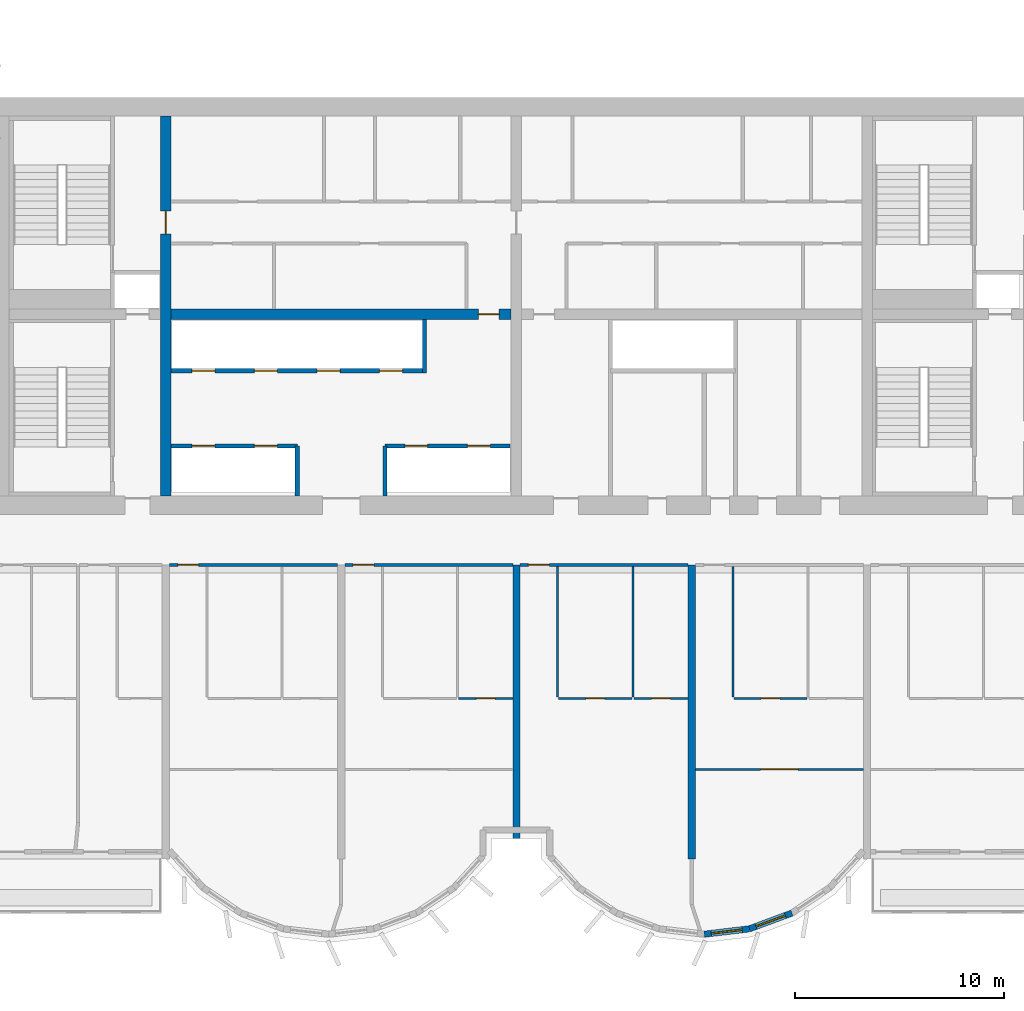
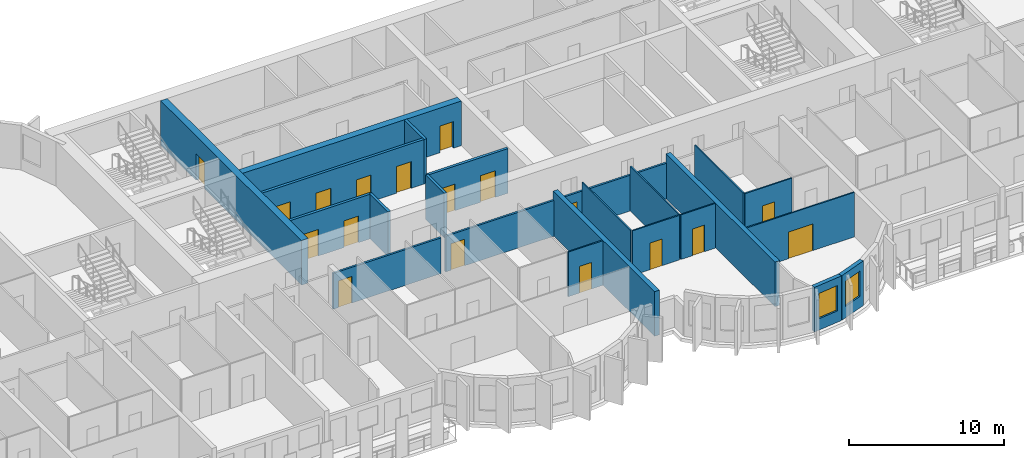
# One storey, part 6 of 15: 23 walls, 18 doors, 2 windows, 20 openings.
"""IFC4 building model written with IfcOpenShell, lengths in metres."""

from ifc_helpers import new_model, si_unit, direction, frame, frame_2d, origin, place, context, subcontext, project, spatial, rectangle, extrude, source, transform, mapped, material, layer, layer_set, type_object, element, fill, save


model = new_model("IFC4")

# Units and contexts
model_context = context("Model", 3, precision=1e-05, world=origin(), true_north=direction((0.0, 1.0)))
body_context = subcontext(model_context, "Body", "Model", "MODEL_VIEW")
ifc_project = project(units=[si_unit("LENGTHUNIT", "METRE"), si_unit("AREAUNIT", "SQUARE_METRE"), si_unit("VOLUMEUNIT", "CUBIC_METRE"), si_unit("PLANEANGLEUNIT", "RADIAN"), si_unit("MASSUNIT", "GRAM", prefix="KILO")], contexts=[model_context])

# Site, building, storey
site_placement = place(None, origin())
site = spatial("IfcSite", under=ifc_project, at=site_placement, CompositionType="ELEMENT")
building_placement = place(site_placement, origin())
building = spatial("IfcBuilding", under=site, at=building_placement, Name="Vanashikhar Sky Hotel", CompositionType="ELEMENT")
storey_placement = place(building_placement, frame((0.0, 0.0, 137.0)))
storey = spatial("IfcBuildingStorey", under=building, at=storey_placement, Name="L33", CompositionType="ELEMENT", Elevation=137.0)

# Wall, opening, door
ifc_material_1 = material(Name="Concrete M70", Category="concrete")
ifc_layer_1 = layer(ifc_material_1, 0.5)
ifc_layer_set_1 = layer_set([ifc_layer_1], Name="RC core inner wall 500 Concrete M70")
wall_type_1 = type_object("IfcWallType", Name="RC core inner wall 500 Concrete M70", PredefinedType="SHEAR", material=ifc_layer_set_1)
shared_shape_1 = source(origin(), body_context, "Body", "SweptSolid", [
    extrude(rectangle(XDim=18.2001953125, YDim=0.5, at=frame_2d((9.10009765625, 0.0))), origin(), (0.0, 0.0, 1.0), 3.52001953125),
])
wall_1_placement = place(storey_placement, frame((33.60009765625, 22.89990234375, 0.0), z_axis=(0.0, 0.0, 1.0), x_axis=(0.0, 1.0, 0.0)))
wall_1 = element("IfcWall", 1, at=wall_1_placement, inside=storey, type_object=wall_type_1, Name="KW-L33-KX1", PredefinedType="SHEAR", context=body_context, shape_type="MappedRepresentation", body=[
    mapped(shared_shape_1, transform((0.0, 0.0, 0.0), scale=1.0)),
])
shared_shape_2 = source(origin(), body_context, "Body", "SweptSolid", [
    extrude(rectangle(XDim=1.10009765625, YDim=2.10009765625, at=frame_2d((0.550048828125, 1.050048828125))), frame((0.0, 0.260009765625, 0.0), z_axis=(0.0, -1.0, 0.0), x_axis=(1.0, 0.0, 0.0)), (0.0, 0.0, 1.0), 0.52001953125),
])
opening_1_placement = place(wall_1_placement, frame((12.550048828125, 0.0, 0.0)))
opening_1 = element("IfcOpeningElement", 2, at=opening_1_placement, cuts=wall_1, Name="Opening DC-4-C", PredefinedType="OPENING", context=body_context, shape_type="MappedRepresentation", body=[
    mapped(shared_shape_2, transform((0.0, 0.0, 0.0), scale=1.0)),
])
ifc_material_2 = material(Name="Steel", Category="steel")
door_type_1 = type_object("IfcDoorType", Name="Service door 1100 FD60", OperationType="NOTDEFINED", PredefinedType="DOOR", material=ifc_material_2)
shared_shape_3 = source(origin(), body_context, "Body", "SweptSolid", [
    extrude(rectangle(XDim=1.10009765625, YDim=2.10009765625, at=frame_2d((0.550048828125, 1.050048828125))), frame((0.0, 0.02490234375, 0.0), z_axis=(0.0, -1.0, 0.0), x_axis=(1.0, 0.0, 0.0)), (0.0, 0.0, 1.0), 0.050048828125),
])
door_1_placement = place(opening_1_placement, origin())
door_1 = element("IfcDoor", 3, at=door_1_placement, inside=storey, type_object=door_type_1, Name="Service door 1100 FD60", OperationType="SINGLE_SWING_RIGHT", OverallHeight=2.10009765625, OverallWidth=1.10009765625, PredefinedType="DOOR", context=body_context, shape_type="MappedRepresentation", body=[
    mapped(shared_shape_3, transform((0.0, 0.0, 0.0), scale=1.0)),
])
fill(opening_1, door_1)

shared_shape_4 = source(origin(), body_context, "Body", "SweptSolid", [
    extrude(rectangle(XDim=16.2998046875, YDim=0.5, at=frame_2d((8.14990234375, 0.0))), origin(), (0.0, 0.0, 1.0), 3.52001953125),
])
wall_2_placement = place(storey_placement, frame((33.85009765625, 31.60009765625, 0.0), z_axis=(0.0, 0.0, 1.0), x_axis=(1.0, 0.0, 0.0)))
wall_2 = element("IfcWall", 4, at=wall_2_placement, inside=storey, type_object=wall_type_1, Name="KW-L33-KY2", PredefinedType="SHEAR", context=body_context, shape_type="MappedRepresentation", body=[
    mapped(shared_shape_4, transform((0.0, 0.0, 0.0), scale=1.0)),
])
shared_shape_5 = source(origin(), body_context, "Body", "SweptSolid", [
    extrude(rectangle(XDim=1.0, YDim=2.10009765625, at=frame_2d((0.5, 1.050048828125))), frame((0.0, 0.260009765625, 0.0), z_axis=(0.0, -1.0, 0.0), x_axis=(1.0, 0.0, 0.0)), (0.0, 0.0, 1.0), 0.52001953125),
])
opening_2_placement = place(wall_2_placement, frame((14.72509765625, 0.0, 0.0)))
opening_2 = element("IfcOpeningElement", 5, at=opening_2_placement, cuts=wall_2, Name="Opening DC-4", PredefinedType="OPENING", context=body_context, shape_type="MappedRepresentation", body=[
    mapped(shared_shape_5, transform((0.0, 0.0, 0.0), scale=1.0)),
])
door_type_2 = type_object("IfcDoorType", Name="Service door 1000 FD60", OperationType="NOTDEFINED", PredefinedType="DOOR", material=ifc_material_2)
shared_shape_6 = source(origin(), body_context, "Body", "SweptSolid", [
    extrude(rectangle(XDim=1.0, YDim=2.10009765625, at=frame_2d((0.5, 1.050048828125))), frame((0.0, 0.02490234375, 0.0), z_axis=(0.0, -1.0, 0.0), x_axis=(1.0, 0.0, 0.0)), (0.0, 0.0, 1.0), 0.050048828125),
])
door_2_placement = place(opening_2_placement, origin())
door_2 = element("IfcDoor", 6, at=door_2_placement, inside=storey, type_object=door_type_2, Name="Service door 1000 FD60", OperationType="SINGLE_SWING_LEFT", OverallHeight=2.10009765625, OverallWidth=1.0, PredefinedType="DOOR", context=body_context, shape_type="MappedRepresentation", body=[
    mapped(shared_shape_6, transform((0.0, 0.0, 0.0), scale=1.0)),
])
fill(opening_2, door_2)

# Walls
ifc_layer_2 = layer(ifc_material_1, 0.35009765625)
ifc_layer_set_2 = layer_set([ifc_layer_2], Name="RC shear wall 350 Concrete M70")
wall_type_2 = type_object("IfcWallType", Name="RC shear wall 350 Concrete M70", PredefinedType="SHEAR", material=ifc_layer_set_2)
shared_shape_7 = source(origin(), body_context, "Body", "SweptSolid", [
    extrude(rectangle(XDim=14.10009765625, YDim=0.35009765625, at=frame_2d((7.050048828125, 0.0))), origin(), (0.0, 0.0, 1.0), 3.52001953125),
])
wall_3_placement = place(storey_placement, frame((58.800048828125, 5.5, 0.0), z_axis=(0.0, 0.0, 1.0), x_axis=(0.0, 1.0, 0.0)))
element("IfcWall", 7, at=wall_3_placement, inside=storey, type_object=wall_type_2, Name="CW-L33-XW08-1", PredefinedType="SHEAR", context=body_context, shape_type="MappedRepresentation", body=[
    mapped(shared_shape_7, transform((0.0, 0.0, 0.0), scale=1.0)),
])
shared_shape_8 = source(origin(), body_context, "Body", "SweptSolid", [
    extrude(rectangle(XDim=13.10009765625, YDim=0.35009765625, at=frame_2d((6.550048828125, 0.0))), origin(), (0.0, 0.0, 1.0), 3.52001953125),
])
wall_4_placement = place(storey_placement, frame((50.39990234375, 6.5, 0.0), z_axis=(0.0, 0.0, 1.0), x_axis=(0.0, 1.0, 0.0)))
element("IfcWall", 8, at=wall_4_placement, inside=storey, type_object=wall_type_2, Name="CW-L33-XW07-1", PredefinedType="SHEAR", context=body_context, shape_type="MappedRepresentation", body=[
    mapped(shared_shape_8, transform((0.0, 0.0, 0.0), scale=1.0)),
])

# Wall, opening, window
ifc_material_3 = material(Name="Concrete M50", Category="concrete")
ifc_layer_3 = layer(ifc_material_3, 0.300048828125)
ifc_layer_set_3 = layer_set([ifc_layer_3], Name="Lobe wall 300")
wall_type_3 = type_object("IfcWallType", Name="Lobe wall 300", PredefinedType="SOLIDWALL", material=ifc_layer_set_3)
shared_shape_9 = source(origin(), body_context, "Body", "SweptSolid", [
    extrude(rectangle(XDim=2.1748046875, YDim=0.300048828125, at=frame_2d((1.08740234375, 0.0))), origin(), (0.0, 0.0, 1.0), 3.52001953125),
])
wall_5_placement = place(storey_placement, frame((59.39990234375, 1.90283203125, 0.0), z_axis=(0.0, 0.0, 1.0), x_axis=(0.993002698611, 0.118091661648, 0.0)))
wall_5 = element("IfcWall", 9, at=wall_5_placement, inside=storey, type_object=wall_type_3, Name="Lobe wall", PredefinedType="SOLIDWALL", context=body_context, shape_type="MappedRepresentation", body=[
    mapped(shared_shape_9, transform((0.0, 0.0, 0.0), scale=1.0)),
])
shared_shape_10 = source(origin(), body_context, "Body", "SweptSolid", [
    extrude(rectangle(XDim=1.5, YDim=2.0, at=frame_2d((0.75, 1.0))), frame((0.0, 0.16015625, 0.0), z_axis=(0.0, -1.0, 0.0), x_axis=(1.0, 0.0, 0.0)), (0.0, 0.0, 1.0), 0.320068359375),
])
opening_3_placement = place(wall_5_placement, frame((0.33740234375, 0.0, 0.89990234375)))
opening_3 = element("IfcOpeningElement", 10, at=opening_3_placement, cuts=wall_5, Name="Opening WN-2", PredefinedType="OPENING", context=body_context, shape_type="MappedRepresentation", body=[
    mapped(shared_shape_10, transform((0.0, 0.0, 0.0), scale=1.0)),
])
ifc_material_4 = material(Name="Glass", Category="glass")
window_type = type_object("IfcWindowType", Name="Lobe window 1500 x 2000", PartitioningType="SINGLE_PANEL", PredefinedType="WINDOW", material=ifc_material_4)
shared_shape_11 = source(origin(), body_context, "Body", "SweptSolid", [
    extrude(rectangle(XDim=1.5, YDim=2.0, at=frame_2d((0.75, 1.0))), frame((0.0, 0.030029296875, 0.0), z_axis=(0.0, -1.0, 0.0), x_axis=(1.0, 0.0, 0.0)), (0.0, 0.0, 1.0), 0.06005859375),
])
window_1_placement = place(opening_3_placement, origin())
window_1 = element("IfcWindow", 11, at=window_1_placement, inside=storey, type_object=window_type, Name="Window WN-2", OverallHeight=2.0, OverallWidth=1.5, PartitioningType="SINGLE_PANEL", PredefinedType="WINDOW", context=body_context, shape_type="MappedRepresentation", body=[
    mapped(shared_shape_11, transform((0.0, 0.0, 0.0), scale=1.0)),
])
fill(opening_3, window_1)

shared_shape_12 = source(origin(), body_context, "Body", "SweptSolid", [
    extrude(rectangle(XDim=2.175537109375, YDim=0.300048828125, at=frame_2d((1.087890625, 0.0))), origin(), (0.0, 0.0, 1.0), 3.52001953125),
])
wall_6_placement = place(storey_placement, frame((61.5595703125, 2.15966796875, 0.0), z_axis=(0.0, 0.0, 1.0), x_axis=(0.937531979054, 0.347899106424, 0.0)))
wall_6 = element("IfcWall", 12, at=wall_6_placement, inside=storey, type_object=wall_type_3, Name="Lobe wall", PredefinedType="SOLIDWALL", context=body_context, shape_type="MappedRepresentation", body=[
    mapped(shared_shape_12, transform((0.0, 0.0, 0.0), scale=1.0)),
])
opening_4_placement = place(wall_6_placement, frame((0.337890625, 0.0, 0.89990234375)))
opening_4 = element("IfcOpeningElement", 13, at=opening_4_placement, cuts=wall_6, Name="Opening WN-2", PredefinedType="OPENING", context=body_context, shape_type="MappedRepresentation", body=[
    mapped(shared_shape_10, transform((0.0, 0.0, 0.0), scale=1.0)),
])
window_2_placement = place(opening_4_placement, origin())
window_2 = element("IfcWindow", 14, at=window_2_placement, inside=storey, type_object=window_type, Name="Window WN-2", OverallHeight=2.0, OverallWidth=1.5, PartitioningType="SINGLE_PANEL", PredefinedType="WINDOW", context=body_context, shape_type="MappedRepresentation", body=[
    mapped(shared_shape_11, transform((0.0, 0.0, 0.0), scale=1.0)),
])
fill(opening_4, window_2)

# Wall, openings, doors
ifc_material_5 = material(Name="Concrete M40", Category="concrete")
ifc_layer_4 = layer(ifc_material_5, 0.199951171875)
ifc_layer_set_4 = layer_set([ifc_layer_4], Name="Shaft wall 200")
wall_type_4 = type_object("IfcWallType", Name="Shaft wall 200", PredefinedType="SOLIDWALL", material=ifc_layer_set_4)
shared_shape_13 = source(origin(), body_context, "Body", "SweptSolid", [
    extrude(rectangle(XDim=6.0, YDim=0.199951171875, at=frame_2d((3.0, 0.0))), origin(), (0.0, 0.0, 1.0), 3.52001953125),
])
wall_7_placement = place(storey_placement, frame((44.10009765625, 25.300048828125, 0.0), z_axis=(0.0, 0.0, 1.0), x_axis=(1.0, 0.0, 0.0)))
wall_7 = element("IfcWall", 15, at=wall_7_placement, inside=storey, type_object=wall_type_4, Name="Shaft wall 200", PredefinedType="SOLIDWALL", context=body_context, shape_type="MappedRepresentation", body=[
    mapped(shared_shape_13, transform((0.0, 0.0, 0.0), scale=1.0)),
])
shared_shape_14 = source(origin(), body_context, "Body", "SweptSolid", [
    extrude(rectangle(XDim=1.10009765625, YDim=2.10009765625, at=frame_2d((0.550048828125, 1.050048828125))), frame((0.0, 0.10986328125, 0.0), z_axis=(0.0, -1.0, 0.0), x_axis=(1.0, 0.0, 0.0)), (0.0, 0.0, 1.0), 0.219970703125),
])
opening_5_placement = place(wall_7_placement, frame((0.949951171875, 0.0, 0.0)))
opening_5 = element("IfcOpeningElement", 16, at=opening_5_placement, cuts=wall_7, Name="Opening LD", PredefinedType="OPENING", context=body_context, shape_type="MappedRepresentation", body=[
    mapped(shared_shape_14, transform((0.0, 0.0, 0.0), scale=1.0)),
])
opening_6_placement = place(wall_7_placement, frame((3.949951171875, 0.0, 0.0)))
opening_6 = element("IfcOpeningElement", 17, at=opening_6_placement, cuts=wall_7, Name="Opening LD", PredefinedType="OPENING", context=body_context, shape_type="MappedRepresentation", body=[
    mapped(shared_shape_14, transform((0.0, 0.0, 0.0), scale=1.0)),
])
ifc_material_6 = material(Name="Stainless steel", Category="steel")
door_type_3 = type_object("IfcDoorType", Name="Lift landing door 1100", OperationType="NOTDEFINED", PredefinedType="DOOR", material=ifc_material_6)
door_3_placement = place(opening_5_placement, origin())
door_3 = element("IfcDoor", 18, at=door_3_placement, inside=storey, type_object=door_type_3, Name="Lift landing door 1100", OperationType="SLIDING_TO_LEFT", OverallHeight=2.10009765625, OverallWidth=1.10009765625, PredefinedType="DOOR", context=body_context, shape_type="MappedRepresentation", body=[
    mapped(shared_shape_3, transform((0.0, 0.0, 0.0), scale=1.0)),
])
fill(opening_5, door_3)
door_4_placement = place(opening_6_placement, origin())
door_4 = element("IfcDoor", 19, at=door_4_placement, inside=storey, type_object=door_type_3, Name="Lift landing door 1100", OperationType="SLIDING_TO_RIGHT", OverallHeight=2.10009765625, OverallWidth=1.10009765625, PredefinedType="DOOR", context=body_context, shape_type="MappedRepresentation", body=[
    mapped(shared_shape_3, transform((0.0, 0.0, 0.0), scale=1.0)),
])
fill(opening_6, door_4)

shared_shape_15 = source(origin(), body_context, "Body", "SweptSolid", [
    extrude(rectangle(XDim=6.0498046875, YDim=0.199951171875, at=frame_2d((3.02490234375, 0.0))), origin(), (0.0, 0.0, 1.0), 3.52001953125),
])
wall_8_placement = place(storey_placement, frame((33.85009765625, 25.300048828125, 0.0), z_axis=(0.0, 0.0, 1.0), x_axis=(1.0, 0.0, 0.0)))
wall_8 = element("IfcWall", 20, at=wall_8_placement, inside=storey, type_object=wall_type_4, Name="Shaft wall 200", PredefinedType="SOLIDWALL", context=body_context, shape_type="MappedRepresentation", body=[
    mapped(shared_shape_15, transform((0.0, 0.0, 0.0), scale=1.0)),
])
opening_7_placement = place(wall_8_placement, frame((1.0, 0.0, 0.0)))
opening_7 = element("IfcOpeningElement", 21, at=opening_7_placement, cuts=wall_8, Name="Opening LD", PredefinedType="OPENING", context=body_context, shape_type="MappedRepresentation", body=[
    mapped(shared_shape_14, transform((0.0, 0.0, 0.0), scale=1.0)),
])
opening_8_placement = place(wall_8_placement, frame((4.0, 0.0, 0.0)))
opening_8 = element("IfcOpeningElement", 22, at=opening_8_placement, cuts=wall_8, Name="Opening LD", PredefinedType="OPENING", context=body_context, shape_type="MappedRepresentation", body=[
    mapped(shared_shape_14, transform((0.0, 0.0, 0.0), scale=1.0)),
])
door_5_placement = place(opening_7_placement, origin())
door_5 = element("IfcDoor", 23, at=door_5_placement, inside=storey, type_object=door_type_3, Name="Lift landing door 1100", OperationType="SLIDING_TO_LEFT", OverallHeight=2.10009765625, OverallWidth=1.10009765625, PredefinedType="DOOR", context=body_context, shape_type="MappedRepresentation", body=[
    mapped(shared_shape_3, transform((0.0, 0.0, 0.0), scale=1.0)),
])
fill(opening_7, door_5)
door_6_placement = place(opening_8_placement, origin())
door_6 = element("IfcDoor", 24, at=door_6_placement, inside=storey, type_object=door_type_3, Name="Lift landing door 1100", OperationType="SLIDING_TO_RIGHT", OverallHeight=2.10009765625, OverallWidth=1.10009765625, PredefinedType="DOOR", context=body_context, shape_type="MappedRepresentation", body=[
    mapped(shared_shape_3, transform((0.0, 0.0, 0.0), scale=1.0)),
])
fill(opening_8, door_6)

shared_shape_16 = source(origin(), body_context, "Body", "SweptSolid", [
    extrude(rectangle(XDim=12.0498046875, YDim=0.199951171875, at=frame_2d((6.02490234375, 0.0))), origin(), (0.0, 0.0, 1.0), 3.52001953125),
])
wall_9_placement = place(storey_placement, frame((33.85009765625, 28.89990234375, 0.0), z_axis=(0.0, 0.0, 1.0), x_axis=(1.0, 0.0, 0.0)))
wall_9 = element("IfcWall", 25, at=wall_9_placement, inside=storey, type_object=wall_type_4, Name="Shaft wall 200", PredefinedType="SOLIDWALL", context=body_context, shape_type="MappedRepresentation", body=[
    mapped(shared_shape_16, transform((0.0, 0.0, 0.0), scale=1.0)),
])
opening_9_placement = place(wall_9_placement, frame((1.0, 0.0, 0.0)))
opening_9 = element("IfcOpeningElement", 26, at=opening_9_placement, cuts=wall_9, Name="Opening LD", PredefinedType="OPENING", context=body_context, shape_type="MappedRepresentation", body=[
    mapped(shared_shape_14, transform((0.0, 0.0, 0.0), scale=1.0)),
])
opening_10_placement = place(wall_9_placement, frame((4.0, 0.0, 0.0)))
opening_10 = element("IfcOpeningElement", 27, at=opening_10_placement, cuts=wall_9, Name="Opening LD", PredefinedType="OPENING", context=body_context, shape_type="MappedRepresentation", body=[
    mapped(shared_shape_14, transform((0.0, 0.0, 0.0), scale=1.0)),
])
opening_11_placement = place(wall_9_placement, frame((7.0, 0.0, 0.0)))
opening_11 = element("IfcOpeningElement", 28, at=opening_11_placement, cuts=wall_9, Name="Opening LD", PredefinedType="OPENING", context=body_context, shape_type="MappedRepresentation", body=[
    mapped(shared_shape_14, transform((0.0, 0.0, 0.0), scale=1.0)),
])
opening_12_placement = place(wall_9_placement, frame((10.0, 0.0, 0.0)))
opening_12 = element("IfcOpeningElement", 29, at=opening_12_placement, cuts=wall_9, Name="Opening LD", PredefinedType="OPENING", context=body_context, shape_type="MappedRepresentation", body=[
    mapped(shared_shape_14, transform((0.0, 0.0, 0.0), scale=1.0)),
])
door_7_placement = place(opening_9_placement, origin())
door_7 = element("IfcDoor", 30, at=door_7_placement, inside=storey, type_object=door_type_3, Name="Lift landing door 1100", OperationType="SLIDING_TO_LEFT", OverallHeight=2.10009765625, OverallWidth=1.10009765625, PredefinedType="DOOR", context=body_context, shape_type="MappedRepresentation", body=[
    mapped(shared_shape_3, transform((0.0, 0.0, 0.0), scale=1.0)),
])
fill(opening_9, door_7)
door_8_placement = place(opening_10_placement, origin())
door_8 = element("IfcDoor", 31, at=door_8_placement, inside=storey, type_object=door_type_3, Name="Lift landing door 1100", OperationType="SLIDING_TO_RIGHT", OverallHeight=2.10009765625, OverallWidth=1.10009765625, PredefinedType="DOOR", context=body_context, shape_type="MappedRepresentation", body=[
    mapped(shared_shape_3, transform((0.0, 0.0, 0.0), scale=1.0)),
])
fill(opening_10, door_8)
door_9_placement = place(opening_11_placement, origin())
door_9 = element("IfcDoor", 32, at=door_9_placement, inside=storey, type_object=door_type_3, Name="Lift landing door 1100", OperationType="SLIDING_TO_LEFT", OverallHeight=2.10009765625, OverallWidth=1.10009765625, PredefinedType="DOOR", context=body_context, shape_type="MappedRepresentation", body=[
    mapped(shared_shape_3, transform((0.0, 0.0, 0.0), scale=1.0)),
])
fill(opening_11, door_9)
door_10_placement = place(opening_12_placement, origin())
door_10 = element("IfcDoor", 33, at=door_10_placement, inside=storey, type_object=door_type_3, Name="Lift landing door 1100", OperationType="SLIDING_TO_RIGHT", OverallHeight=2.10009765625, OverallWidth=1.10009765625, PredefinedType="DOOR", context=body_context, shape_type="MappedRepresentation", body=[
    mapped(shared_shape_3, transform((0.0, 0.0, 0.0), scale=1.0)),
])
fill(opening_12, door_10)

# Walls
shared_shape_17 = source(origin(), body_context, "Body", "SweptSolid", [
    extrude(rectangle(XDim=2.400146484375, YDim=0.199951171875, at=frame_2d((1.2001953125, 0.0))), origin(), (0.0, 0.0, 1.0), 3.52001953125),
])
for number, where, z_axis, x_axis, name in (
    (34, (39.89990234375, 22.89990234375, 0.0), (0.0, 0.0, 1.0), (0.0, 1.0, 0.0), "Shaft wall 200"),
    (35, (44.10009765625, 22.89990234375, 0.0), (0.0, 0.0, 1.0), (0.0, 1.0, 0.0), "Shaft wall 200"),
):
    element("IfcWall", number, at=place(storey_placement, frame(where, z_axis=z_axis, x_axis=x_axis)), inside=storey, type_object=wall_type_4, Name=name, PredefinedType="SOLIDWALL", context=body_context, shape_type="MappedRepresentation", body=[
        mapped(shared_shape_17, transform((0.0, 0.0, 0.0), scale=1.0)),
    ])
shared_shape_18 = source(origin(), body_context, "Body", "SweptSolid", [
    extrude(rectangle(XDim=2.550048828125, YDim=0.199951171875, at=frame_2d((1.27490234375, 0.0))), origin(), (0.0, 0.0, 1.0), 3.52001953125),
])
wall_10_placement = place(storey_placement, frame((46.0, 28.800048828125, 0.0), z_axis=(0.0, 0.0, 1.0), x_axis=(0.0, 1.0, 0.0)))
element("IfcWall", 36, at=wall_10_placement, inside=storey, type_object=wall_type_4, Name="Shaft wall 200", PredefinedType="SOLIDWALL", context=body_context, shape_type="MappedRepresentation", body=[
    mapped(shared_shape_18, transform((0.0, 0.0, 0.0), scale=1.0)),
])

# Wall, opening, door
ifc_material_7 = material(Name="Gypsum plasterboard partition")
ifc_layer_5 = layer(ifc_material_7, 0.10009765625)
ifc_layer_set_5 = layer_set([ifc_layer_5], Name="Wet room partition 100")
wall_type_5 = type_object("IfcWallType", Name="Wet room partition 100", PredefinedType="PARTITIONING", material=ifc_layer_set_5)
shared_shape_19 = source(origin(), body_context, "Body", "SweptSolid", [
    extrude(rectangle(XDim=3.5, YDim=0.10009765625, at=frame_2d((1.75, 0.0))), origin(), (0.0, 0.0, 1.0), 3.52001953125),
])
wall_11_placement = place(storey_placement, frame((52.425048828125, 13.199951171875, 0.0), z_axis=(0.0, 0.0, 1.0), x_axis=(1.0, 0.0, 0.0)))
wall_11 = element("IfcWall", 37, at=wall_11_placement, inside=storey, type_object=wall_type_5, Name="W-L33-PW038", PredefinedType="PARTITIONING", context=body_context, shape_type="MappedRepresentation", body=[
    mapped(shared_shape_19, transform((0.0, 0.0, 0.0), scale=1.0)),
])
shared_shape_20 = source(origin(), body_context, "Body", "SweptSolid", [
    extrude(rectangle(XDim=0.89990234375, YDim=2.10009765625, at=frame_2d((0.449951171875, 1.050048828125))), frame((0.0, 0.06005859375, 0.0), z_axis=(0.0, -1.0, 0.0), x_axis=(1.0, 0.0, 0.0)), (0.0, 0.0, 1.0), 0.1201171875),
])
opening_13_placement = place(wall_11_placement, frame((1.300048828125, 0.0, 0.0)))
opening_13 = element("IfcOpeningElement", 38, at=opening_13_placement, cuts=wall_11, Name="Opening D-02", PredefinedType="OPENING", context=body_context, shape_type="MappedRepresentation", body=[
    mapped(shared_shape_20, transform((0.0, 0.0, 0.0), scale=1.0)),
])
ifc_material_8 = material(Name="Timber door", Category="wood")
door_type_4 = type_object("IfcDoorType", Name="Internal door 900", OperationType="NOTDEFINED", PredefinedType="DOOR", material=ifc_material_8)
shared_shape_21 = source(origin(), body_context, "Body", "SweptSolid", [
    extrude(rectangle(XDim=0.89990234375, YDim=2.10009765625, at=frame_2d((0.449951171875, 1.050048828125))), frame((0.0, 0.02490234375, 0.0), z_axis=(0.0, -1.0, 0.0), x_axis=(1.0, 0.0, 0.0)), (0.0, 0.0, 1.0), 0.050048828125),
])
door_11_placement = place(opening_13_placement, origin())
door_11 = element("IfcDoor", 39, at=door_11_placement, inside=storey, type_object=door_type_4, Name="D-L33-023", OperationType="SINGLE_SWING_LEFT", OverallHeight=2.10009765625, OverallWidth=0.89990234375, PredefinedType="DOOR", context=body_context, shape_type="MappedRepresentation", body=[
    mapped(shared_shape_21, transform((0.0, 0.0, 0.0), scale=1.0)),
])
fill(opening_13, door_11)

wall_12_placement = place(storey_placement, frame((60.824951171875, 13.199951171875, 0.0), z_axis=(0.0, 0.0, 1.0), x_axis=(1.0, 0.0, 0.0)))
wall_12 = element("IfcWall", 40, at=wall_12_placement, inside=storey, type_object=wall_type_5, Name="W-L33-PW043", PredefinedType="PARTITIONING", context=body_context, shape_type="MappedRepresentation", body=[
    mapped(shared_shape_19, transform((0.0, 0.0, 0.0), scale=1.0)),
])
opening_14_placement = place(wall_12_placement, frame((1.300048828125, 0.0, 0.0)))
opening_14 = element("IfcOpeningElement", 41, at=opening_14_placement, cuts=wall_12, Name="Opening D-02", PredefinedType="OPENING", context=body_context, shape_type="MappedRepresentation", body=[
    mapped(shared_shape_20, transform((0.0, 0.0, 0.0), scale=1.0)),
])
door_12_placement = place(opening_14_placement, origin())
door_12 = element("IfcDoor", 42, at=door_12_placement, inside=storey, type_object=door_type_4, Name="D-L33-026", OperationType="SINGLE_SWING_LEFT", OverallHeight=2.10009765625, OverallWidth=0.89990234375, PredefinedType="DOOR", context=body_context, shape_type="MappedRepresentation", body=[
    mapped(shared_shape_21, transform((0.0, 0.0, 0.0), scale=1.0)),
])
fill(opening_14, door_12)

# Walls
shared_shape_22 = source(origin(), body_context, "Body", "SweptSolid", [
    extrude(rectangle(XDim=6.25, YDim=0.10009765625, at=frame_2d((3.125, 0.0))), origin(), (0.0, 0.0, 1.0), 3.52001953125),
])
for number, where, z_axis, x_axis, name in (
    (43, (52.375, 13.27490234375, 0.0), (0.0, 0.0, 1.0), (0.0, 1.0, 0.0), "W-L33-PW036"),
    (44, (55.97509765625, 13.27490234375, 0.0), (0.0, 0.0, 1.0), (0.0, 1.0, 0.0), "W-L33-PW037"),
    (45, (60.77490234375, 13.27490234375, 0.0), (0.0, 0.0, 1.0), (0.0, 1.0, 0.0), "W-L33-PW041"),
):
    element("IfcWall", number, at=place(storey_placement, frame(where, z_axis=z_axis, x_axis=x_axis)), inside=storey, type_object=wall_type_5, Name=name, PredefinedType="PARTITIONING", context=body_context, shape_type="MappedRepresentation", body=[
        mapped(shared_shape_22, transform((0.0, 0.0, 0.0), scale=1.0)),
    ])

# Wall, opening, door
shared_shape_23 = source(origin(), body_context, "Body", "SweptSolid", [
    extrude(rectangle(XDim=2.60009765625, YDim=0.10009765625, at=frame_2d((1.300048828125, 0.0))), origin(), (0.0, 0.0, 1.0), 3.52001953125),
])
wall_13_placement = place(storey_placement, frame((47.625, 13.199951171875, 0.0), z_axis=(0.0, 0.0, 1.0), x_axis=(1.0, 0.0, 0.0)))
wall_13 = element("IfcWall", 46, at=wall_13_placement, inside=storey, type_object=wall_type_5, Name="W-L33-PW033", PredefinedType="PARTITIONING", context=body_context, shape_type="MappedRepresentation", body=[
    mapped(shared_shape_23, transform((0.0, 0.0, 0.0), scale=1.0)),
])
opening_15_placement = place(wall_13_placement, frame((0.85009765625, 0.0, 0.0)))
opening_15 = element("IfcOpeningElement", 47, at=opening_15_placement, cuts=wall_13, Name="Opening D-02", PredefinedType="OPENING", context=body_context, shape_type="MappedRepresentation", body=[
    mapped(shared_shape_20, transform((0.0, 0.0, 0.0), scale=1.0)),
])
door_13_placement = place(opening_15_placement, origin())
door_13 = element("IfcDoor", 48, at=door_13_placement, inside=storey, type_object=door_type_4, Name="D-L33-020", OperationType="SINGLE_SWING_LEFT", OverallHeight=2.10009765625, OverallWidth=0.89990234375, PredefinedType="DOOR", context=body_context, shape_type="MappedRepresentation", body=[
    mapped(shared_shape_21, transform((0.0, 0.0, 0.0), scale=1.0)),
])
fill(opening_15, door_13)

wall_14_placement = place(storey_placement, frame((56.02490234375, 13.199951171875, 0.0), z_axis=(0.0, 0.0, 1.0), x_axis=(1.0, 0.0, 0.0)))
wall_14 = element("IfcWall", 49, at=wall_14_placement, inside=storey, type_object=wall_type_5, Name="W-L33-PW039", PredefinedType="PARTITIONING", context=body_context, shape_type="MappedRepresentation", body=[
    mapped(shared_shape_23, transform((0.0, 0.0, 0.0), scale=1.0)),
])
opening_16_placement = place(wall_14_placement, frame((0.85009765625, 0.0, 0.0)))
opening_16 = element("IfcOpeningElement", 50, at=opening_16_placement, cuts=wall_14, Name="Opening D-02", PredefinedType="OPENING", context=body_context, shape_type="MappedRepresentation", body=[
    mapped(shared_shape_20, transform((0.0, 0.0, 0.0), scale=1.0)),
])
door_14_placement = place(opening_16_placement, origin())
door_14 = element("IfcDoor", 51, at=door_14_placement, inside=storey, type_object=door_type_4, Name="D-L33-024", OperationType="SINGLE_SWING_LEFT", OverallHeight=2.10009765625, OverallWidth=0.89990234375, PredefinedType="DOOR", context=body_context, shape_type="MappedRepresentation", body=[
    mapped(shared_shape_21, transform((0.0, 0.0, 0.0), scale=1.0)),
])
fill(opening_16, door_14)

ifc_layer_6 = layer(ifc_material_7, 0.14990234375)
ifc_layer_set_6 = layer_set([ifc_layer_6], Name="Corridor and demising partition 150")
wall_type_6 = type_object("IfcWallType", Name="Corridor and demising partition 150", PredefinedType="PARTITIONING", material=ifc_layer_set_6)
shared_shape_24 = source(origin(), body_context, "Body", "SweptSolid", [
    extrude(rectangle(XDim=8.050048828125, YDim=0.14990234375, at=frame_2d((4.02490234375, 0.0))), origin(), (0.0, 0.0, 1.0), 2.820068359375),
])
wall_15_placement = place(storey_placement, frame((33.77490234375, 19.60009765625, 0.0), z_axis=(0.0, 0.0, 1.0), x_axis=(1.0, 0.0, 0.0)))
wall_15 = element("IfcWall", 52, at=wall_15_placement, inside=storey, type_object=wall_type_6, Name="W-L33-PW029", PredefinedType="PARTITIONING", context=body_context, shape_type="MappedRepresentation", body=[
    mapped(shared_shape_24, transform((0.0, 0.0, 0.0), scale=1.0)),
])
shared_shape_25 = source(origin(), body_context, "Body", "SweptSolid", [
    extrude(rectangle(XDim=1.0, YDim=2.10009765625, at=frame_2d((0.5, 1.050048828125))), frame((0.0, 0.0849609375, 0.0), z_axis=(0.0, -1.0, 0.0), x_axis=(1.0, 0.0, 0.0)), (0.0, 0.0, 1.0), 0.169921875),
])
opening_17_placement = place(wall_15_placement, frame((0.39990234375, 0.0, 0.0)))
opening_17 = element("IfcOpeningElement", 53, at=opening_17_placement, cuts=wall_15, Name="Opening D-01", PredefinedType="OPENING", context=body_context, shape_type="MappedRepresentation", body=[
    mapped(shared_shape_25, transform((0.0, 0.0, 0.0), scale=1.0)),
])
ifc_material_9 = material(Name="Timber fire door", Category="wood")
door_type_5 = type_object("IfcDoorType", Name="Guest entry door 1000 FD30S", OperationType="NOTDEFINED", PredefinedType="DOOR", material=ifc_material_9)
door_15_placement = place(opening_17_placement, origin())
door_15 = element("IfcDoor", 54, at=door_15_placement, inside=storey, type_object=door_type_5, Name="D-L33-018", OperationType="SINGLE_SWING_LEFT", OverallHeight=2.10009765625, OverallWidth=1.0, PredefinedType="DOOR", context=body_context, shape_type="MappedRepresentation", body=[
    mapped(shared_shape_6, transform((0.0, 0.0, 0.0), scale=1.0)),
])
fill(opening_17, door_15)

wall_16_placement = place(storey_placement, frame((42.175048828125, 19.60009765625, 0.0), z_axis=(0.0, 0.0, 1.0), x_axis=(1.0, 0.0, 0.0)))
wall_16 = element("IfcWall", 55, at=wall_16_placement, inside=storey, type_object=wall_type_6, Name="W-L33-PW035", PredefinedType="PARTITIONING", context=body_context, shape_type="MappedRepresentation", body=[
    mapped(shared_shape_24, transform((0.0, 0.0, 0.0), scale=1.0)),
])
opening_18_placement = place(wall_16_placement, frame((0.39990234375, 0.0, 0.0)))
opening_18 = element("IfcOpeningElement", 56, at=opening_18_placement, cuts=wall_16, Name="Opening D-01", PredefinedType="OPENING", context=body_context, shape_type="MappedRepresentation", body=[
    mapped(shared_shape_25, transform((0.0, 0.0, 0.0), scale=1.0)),
])
door_16_placement = place(opening_18_placement, origin())
door_16 = element("IfcDoor", 57, at=door_16_placement, inside=storey, type_object=door_type_5, Name="D-L33-022", OperationType="SINGLE_SWING_LEFT", OverallHeight=2.10009765625, OverallWidth=1.0, PredefinedType="DOOR", context=body_context, shape_type="MappedRepresentation", body=[
    mapped(shared_shape_6, transform((0.0, 0.0, 0.0), scale=1.0)),
])
fill(opening_18, door_16)

wall_17_placement = place(storey_placement, frame((50.574951171875, 19.60009765625, 0.0), z_axis=(0.0, 0.0, 1.0), x_axis=(1.0, 0.0, 0.0)))
wall_17 = element("IfcWall", 58, at=wall_17_placement, inside=storey, type_object=wall_type_6, Name="W-L33-PW040", PredefinedType="PARTITIONING", context=body_context, shape_type="MappedRepresentation", body=[
    mapped(shared_shape_24, transform((0.0, 0.0, 0.0), scale=1.0)),
])
opening_19_placement = place(wall_17_placement, frame((0.39990234375, 0.0, 0.0)))
opening_19 = element("IfcOpeningElement", 59, at=opening_19_placement, cuts=wall_17, Name="Opening D-01", PredefinedType="OPENING", context=body_context, shape_type="MappedRepresentation", body=[
    mapped(shared_shape_25, transform((0.0, 0.0, 0.0), scale=1.0)),
])
door_17_placement = place(opening_19_placement, origin())
door_17 = element("IfcDoor", 60, at=door_17_placement, inside=storey, type_object=door_type_5, Name="D-L33-025", OperationType="SINGLE_SWING_LEFT", OverallHeight=2.10009765625, OverallWidth=1.0, PredefinedType="DOOR", context=body_context, shape_type="MappedRepresentation", body=[
    mapped(shared_shape_6, transform((0.0, 0.0, 0.0), scale=1.0)),
])
fill(opening_19, door_17)

shared_shape_26 = source(origin(), body_context, "Body", "SweptSolid", [
    extrude(rectangle(XDim=8.0498046875, YDim=0.10009765625, at=frame_2d((4.02490234375, 0.0))), origin(), (0.0, 0.0, 1.0), 3.52001953125),
])
wall_18_placement = place(storey_placement, frame((58.97509765625, 9.802001953125, 0.0), z_axis=(0.0, 0.0, 1.0), x_axis=(1.0, 0.0, 0.0)))
wall_18 = element("IfcWall", 61, at=wall_18_placement, inside=storey, type_object=wall_type_5, Name="W-L33-PW045", PredefinedType="PARTITIONING", context=body_context, shape_type="MappedRepresentation", body=[
    mapped(shared_shape_26, transform((0.0, 0.0, 0.0), scale=1.0)),
])
shared_shape_27 = source(origin(), body_context, "Body", "SweptSolid", [
    extrude(rectangle(XDim=1.800048828125, YDim=2.10009765625, at=frame_2d((0.89990234375, 1.050048828125))), frame((0.0, 0.06005859375, 0.0), z_axis=(0.0, -1.0, 0.0), x_axis=(1.0, 0.0, 0.0)), (0.0, 0.0, 1.0), 0.1201171875),
])
opening_20_placement = place(wall_18_placement, frame((3.125, 0.0, 0.0)))
opening_20 = element("IfcOpeningElement", 62, at=opening_20_placement, cuts=wall_18, Name="Opening D-08", PredefinedType="OPENING", context=body_context, shape_type="MappedRepresentation", body=[
    mapped(shared_shape_27, transform((0.0, 0.0, 0.0), scale=1.0)),
])
door_type_6 = type_object("IfcDoorType", Name="Double leaf door 1800", OperationType="NOTDEFINED", PredefinedType="DOOR", material=ifc_material_8)
shared_shape_28 = source(origin(), body_context, "Body", "SweptSolid", [
    extrude(rectangle(XDim=1.800048828125, YDim=2.10009765625, at=frame_2d((0.89990234375, 1.050048828125))), frame((0.0, 0.02490234375, 0.0), z_axis=(0.0, -1.0, 0.0), x_axis=(1.0, 0.0, 0.0)), (0.0, 0.0, 1.0), 0.050048828125),
])
door_18_placement = place(opening_20_placement, origin())
door_18 = element("IfcDoor", 63, at=door_18_placement, inside=storey, type_object=door_type_6, Name="D-L33-028", OperationType="DOUBLE_DOOR_SINGLE_SWING", OverallHeight=2.10009765625, OverallWidth=1.800048828125, PredefinedType="DOOR", context=body_context, shape_type="MappedRepresentation", body=[
    mapped(shared_shape_28, transform((0.0, 0.0, 0.0), scale=1.0)),
])
fill(opening_20, door_18)

save(model, "model.ifc")
